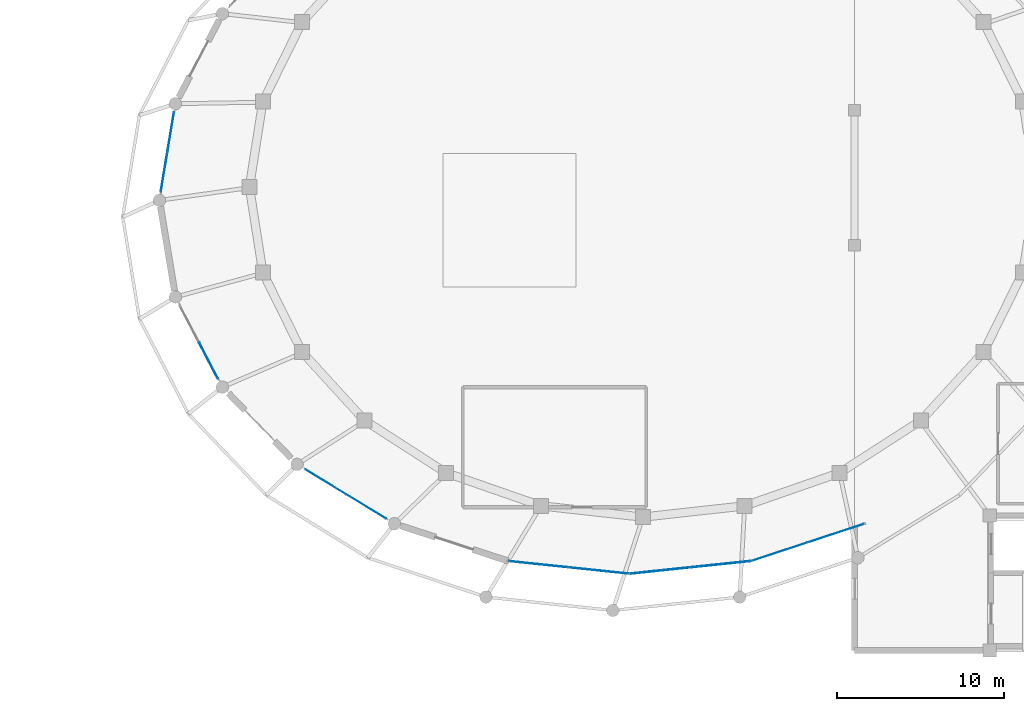
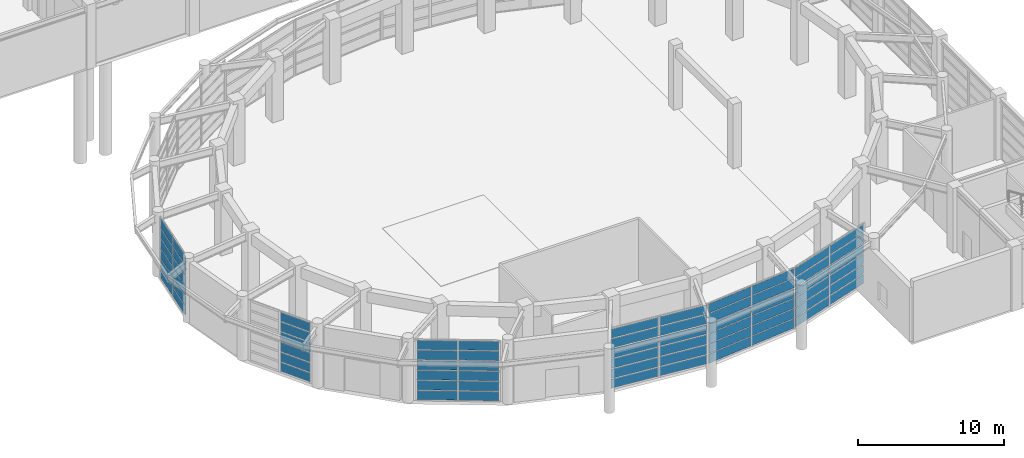
# One storey, part 28 of 52: 66 plates, 6 elements without a shape of their own.
"""IFC4 building model written with IfcOpenShell, lengths in metres."""

from ifc_helpers import new_model, si_unit, direction, frame, origin, origin_2d, place, context, subcontext, project, spatial, rectangle, extrude, material, layer, layer_set, type_object, element, aggregate, save


model = new_model("IFC4")

# Units and contexts
model_context = context("Model", 3, precision=1e-05, world=origin(), true_north=direction((0.0, 1.0)))
body_context = subcontext(model_context, "Body", "Model", "MODEL_VIEW")
ifc_project = project(units=[si_unit("LENGTHUNIT", "METRE"), si_unit("AREAUNIT", "SQUARE_METRE"), si_unit("VOLUMEUNIT", "CUBIC_METRE"), si_unit("PLANEANGLEUNIT", "RADIAN"), si_unit("MASSUNIT", "GRAM", prefix="KILO")], contexts=[model_context])

# Site, building, storey
site_placement = place(None, origin())
site = spatial("IfcSite", under=ifc_project, at=site_placement, CompositionType="ELEMENT")
building_placement = place(site_placement, origin())
building = spatial("IfcBuilding", under=site, at=building_placement, Name="Parian Resonance Hall", CompositionType="ELEMENT")
storey_placement = place(building_placement, origin())
storey = spatial("IfcBuildingStorey", under=building, at=storey_placement, Name="L00", CompositionType="ELEMENT", Elevation=0.0)

# Curtain wall, plates
ifc_material_1 = material(Name="Bronze-anodised aluminium frame", Category="aluminium")
curtain_wall_type_1 = type_object("IfcCurtainWallType", Name="CW-SYS-04", PredefinedType="NOTDEFINED", material=ifc_material_1)
curtain_wall_1_placement = place(storey_placement, origin())
curtain_wall_1 = element("IfcCurtainWall", 1, at=curtain_wall_1_placement, inside=storey, type_object=curtain_wall_type_1, Name="Grand foyer recessed base curtain wall 16", PredefinedType="NOTDEFINED")
ifc_material_2 = material(Name="Acoustic laminated double glazing", Category="glass")
ifc_layer_1 = layer(ifc_material_2, 0.02197265625)
ifc_layer_set_1 = layer_set([ifc_layer_1], Name="Acoustic laminated double glazing")
plate_type_1 = type_object("IfcPlateType", Name="CWP-IGU22", PredefinedType="CURTAIN_PANEL", material=ifc_layer_set_1)
plate_1_placement = place(storey_placement, frame((27.3984375, 24.838134765625, 0.05712890625), z_axis=(0.0, 0.0, 1.0), x_axis=(-0.853884034174, 0.520463309161, 0.0)))
plate_1 = element("IfcPlate", 2, at=plate_1_placement, type_object=plate_type_1, Name="CW-04 panel 1.1", PredefinedType="CURTAIN_PANEL", context=body_context, shape_type="SweptSolid", body=[
    extrude(rectangle(XDim=2.78955078125, YDim=0.02197265625, at=origin_2d()), origin(), (0.0, 0.0, 1.0), 0.757080078125),
])
plate_2_placement = place(storey_placement, frame((27.3984375, 24.838134765625, 0.87939453125), z_axis=(0.0, 0.0, 1.0), x_axis=(-0.853884034174, 0.520463309161, 0.0)))
plate_2 = element("IfcPlate", 3, at=plate_2_placement, type_object=plate_type_1, Name="CW-04 panel 1.2", PredefinedType="CURTAIN_PANEL", context=body_context, shape_type="SweptSolid", body=[
    extrude(rectangle(XDim=2.78955078125, YDim=0.02197265625, at=origin_2d()), origin(), (0.0, 0.0, 1.0), 0.781494140625),
])
plate_3_placement = place(storey_placement, frame((27.3984375, 24.838134765625, 1.725830078125), z_axis=(0.0, 0.0, 1.0), x_axis=(-0.853884034174, 0.520463309161, 0.0)))
plate_3 = element("IfcPlate", 4, at=plate_3_placement, type_object=plate_type_1, Name="CW-04 panel 1.3", PredefinedType="CURTAIN_PANEL", context=body_context, shape_type="SweptSolid", body=[
    extrude(rectangle(XDim=2.78955078125, YDim=0.02197265625, at=origin_2d()), origin(), (0.0, 0.0, 1.0), 0.78173828125),
])
plate_4_placement = place(storey_placement, frame((27.3984375, 24.838134765625, 2.572509765625), z_axis=(0.0, 0.0, 1.0), x_axis=(-0.853884034174, 0.520463309161, 0.0)))
plate_4 = element("IfcPlate", 5, at=plate_4_placement, type_object=plate_type_1, Name="CW-04 panel 1.4", PredefinedType="CURTAIN_PANEL", context=body_context, shape_type="SweptSolid", body=[
    extrude(rectangle(XDim=2.78955078125, YDim=0.02197265625, at=origin_2d()), origin(), (0.0, 0.0, 1.0), 0.78173828125),
])
plate_5_placement = place(storey_placement, frame((27.3984375, 24.838134765625, 3.41943359375), z_axis=(0.0, 0.0, 1.0), x_axis=(-0.853884034174, 0.520463309161, 0.0)))
plate_5 = element("IfcPlate", 6, at=plate_5_placement, type_object=plate_type_1, Name="CW-04 panel 1.5", PredefinedType="CURTAIN_PANEL", context=body_context, shape_type="SweptSolid", body=[
    extrude(rectangle(XDim=2.78955078125, YDim=0.02197265625, at=origin_2d()), origin(), (0.0, 0.0, 1.0), 0.781494140625),
])
plate_6_placement = place(storey_placement, frame((27.3984375, 24.838134765625, 4.265869140625), z_axis=(0.0, 0.0, 1.0), x_axis=(-0.853884034174, 0.520463309161, 0.0)))
plate_6 = element("IfcPlate", 7, at=plate_6_placement, type_object=plate_type_1, Name="CW-04 panel 1.6", PredefinedType="CURTAIN_PANEL", context=body_context, shape_type="SweptSolid", body=[
    extrude(rectangle(XDim=2.78955078125, YDim=0.02197265625, at=origin_2d()), origin(), (0.0, 0.0, 1.0), 0.75927734375),
])
plate_7_placement = place(storey_placement, frame((24.961181640625, 26.32373046875, 0.05712890625), z_axis=(0.0, 0.0, 1.0), x_axis=(-0.853884034174, 0.520463309161, 0.0)))
plate_7 = element("IfcPlate", 8, at=plate_7_placement, type_object=plate_type_1, Name="CW-04 panel 2.1", PredefinedType="CURTAIN_PANEL", context=body_context, shape_type="SweptSolid", body=[
    extrude(rectangle(XDim=2.78955078125, YDim=0.02197265625, at=origin_2d()), origin(), (0.0, 0.0, 1.0), 0.757080078125),
])
plate_8_placement = place(storey_placement, frame((24.961181640625, 26.32373046875, 0.87939453125), z_axis=(0.0, 0.0, 1.0), x_axis=(-0.853884034174, 0.520463309161, 0.0)))
plate_8 = element("IfcPlate", 9, at=plate_8_placement, type_object=plate_type_1, Name="CW-04 panel 2.2", PredefinedType="CURTAIN_PANEL", context=body_context, shape_type="SweptSolid", body=[
    extrude(rectangle(XDim=2.78955078125, YDim=0.02197265625, at=origin_2d()), origin(), (0.0, 0.0, 1.0), 0.781494140625),
])
plate_9_placement = place(storey_placement, frame((24.961181640625, 26.32373046875, 1.725830078125), z_axis=(0.0, 0.0, 1.0), x_axis=(-0.853884034174, 0.520463309161, 0.0)))
plate_9 = element("IfcPlate", 10, at=plate_9_placement, type_object=plate_type_1, Name="CW-04 panel 2.3", PredefinedType="CURTAIN_PANEL", context=body_context, shape_type="SweptSolid", body=[
    extrude(rectangle(XDim=2.78955078125, YDim=0.02197265625, at=origin_2d()), origin(), (0.0, 0.0, 1.0), 0.78173828125),
])
plate_10_placement = place(storey_placement, frame((24.961181640625, 26.32373046875, 2.572509765625), z_axis=(0.0, 0.0, 1.0), x_axis=(-0.853884034174, 0.520463309161, 0.0)))
plate_10 = element("IfcPlate", 11, at=plate_10_placement, type_object=plate_type_1, Name="CW-04 panel 2.4", PredefinedType="CURTAIN_PANEL", context=body_context, shape_type="SweptSolid", body=[
    extrude(rectangle(XDim=2.78955078125, YDim=0.02197265625, at=origin_2d()), origin(), (0.0, 0.0, 1.0), 0.78173828125),
])
plate_11_placement = place(storey_placement, frame((24.961181640625, 26.32373046875, 3.41943359375), z_axis=(0.0, 0.0, 1.0), x_axis=(-0.853884034174, 0.520463309161, 0.0)))
plate_11 = element("IfcPlate", 12, at=plate_11_placement, type_object=plate_type_1, Name="CW-04 panel 2.5", PredefinedType="CURTAIN_PANEL", context=body_context, shape_type="SweptSolid", body=[
    extrude(rectangle(XDim=2.78955078125, YDim=0.02197265625, at=origin_2d()), origin(), (0.0, 0.0, 1.0), 0.781494140625),
])
plate_12_placement = place(storey_placement, frame((24.961181640625, 26.32373046875, 4.265869140625), z_axis=(0.0, 0.0, 1.0), x_axis=(-0.853884034174, 0.520463309161, 0.0)))
plate_12 = element("IfcPlate", 13, at=plate_12_placement, type_object=plate_type_1, Name="CW-04 panel 2.6", PredefinedType="CURTAIN_PANEL", context=body_context, shape_type="SweptSolid", body=[
    extrude(rectangle(XDim=2.78955078125, YDim=0.02197265625, at=origin_2d()), origin(), (0.0, 0.0, 1.0), 0.75927734375),
])
aggregate(curtain_wall_1, [plate_1, plate_2, plate_3, plate_4, plate_5, plate_6, plate_7, plate_8, plate_9, plate_10, plate_11, plate_12])

ifc_material_3 = material(Name="Bronze-anodised aluminium frame", Category="aluminium")
curtain_wall_type_2 = type_object("IfcCurtainWallType", Name="CW-SYS-02", PredefinedType="NOTDEFINED", material=ifc_material_3)
curtain_wall_2_placement = place(storey_placement, origin())
curtain_wall_2 = element("IfcCurtainWall", 14, at=curtain_wall_2_placement, inside=storey, type_object=curtain_wall_type_2, Name="Grand foyer recessed base curtain wall 20", PredefinedType="NOTDEFINED")
plate_13_placement = place(storey_placement, frame((55.581787109375, 23.235595703125, 0.06689453125), z_axis=(0.0, 0.0, 1.0), x_axis=(-0.94990795108, -0.312529813739, 0.0)))
plate_13 = element("IfcPlate", 15, at=plate_13_placement, type_object=plate_type_1, Name="CW-02 panel 1.1", PredefinedType="CURTAIN_PANEL", context=body_context, shape_type="SweptSolid", body=[
    extrude(rectangle(XDim=3.467529296875, YDim=0.02197265625, at=origin_2d()), origin(), (0.0, 0.0, 1.0), 0.7421875),
])
plate_14_placement = place(storey_placement, frame((55.581787109375, 23.235595703125, 0.88427734375), z_axis=(0.0, 0.0, 1.0), x_axis=(-0.94990795108, -0.312529813739, 0.0)))
plate_14 = element("IfcPlate", 16, at=plate_14_placement, type_object=plate_type_1, Name="CW-02 panel 1.2", PredefinedType="CURTAIN_PANEL", context=body_context, shape_type="SweptSolid", body=[
    extrude(rectangle(XDim=3.467529296875, YDim=0.02197265625, at=origin_2d()), origin(), (0.0, 0.0, 1.0), 0.771484375),
])
plate_15_placement = place(storey_placement, frame((55.581787109375, 23.235595703125, 1.73095703125), z_axis=(0.0, 0.0, 1.0), x_axis=(-0.94990795108, -0.312529813739, 0.0)))
plate_15 = element("IfcPlate", 17, at=plate_15_placement, type_object=plate_type_1, Name="CW-02 panel 1.3", PredefinedType="CURTAIN_PANEL", context=body_context, shape_type="SweptSolid", body=[
    extrude(rectangle(XDim=3.467529296875, YDim=0.02197265625, at=origin_2d()), origin(), (0.0, 0.0, 1.0), 0.771728515625),
])
plate_16_placement = place(storey_placement, frame((55.581787109375, 23.235595703125, 2.57763671875), z_axis=(0.0, 0.0, 1.0), x_axis=(-0.94990795108, -0.312529813739, 0.0)))
plate_16 = element("IfcPlate", 18, at=plate_16_placement, type_object=plate_type_1, Name="CW-02 panel 1.4", PredefinedType="CURTAIN_PANEL", context=body_context, shape_type="SweptSolid", body=[
    extrude(rectangle(XDim=3.467529296875, YDim=0.02197265625, at=origin_2d()), origin(), (0.0, 0.0, 1.0), 0.771728515625),
])
plate_17_placement = place(storey_placement, frame((55.581787109375, 23.235595703125, 3.42431640625), z_axis=(0.0, 0.0, 1.0), x_axis=(-0.94990795108, -0.312529813739, 0.0)))
plate_17 = element("IfcPlate", 19, at=plate_17_placement, type_object=plate_type_1, Name="CW-02 panel 1.5", PredefinedType="CURTAIN_PANEL", context=body_context, shape_type="SweptSolid", body=[
    extrude(rectangle(XDim=3.467529296875, YDim=0.02197265625, at=origin_2d()), origin(), (0.0, 0.0, 1.0), 0.771484375),
])
plate_18_placement = place(storey_placement, frame((55.581787109375, 23.235595703125, 4.270751953125), z_axis=(0.0, 0.0, 1.0), x_axis=(-0.94990795108, -0.312529813739, 0.0)))
plate_18 = element("IfcPlate", 20, at=plate_18_placement, type_object=plate_type_1, Name="CW-02 panel 1.6", PredefinedType="CURTAIN_PANEL", context=body_context, shape_type="SweptSolid", body=[
    extrude(rectangle(XDim=3.467529296875, YDim=0.02197265625, at=origin_2d()), origin(), (0.0, 0.0, 1.0), 0.744140625),
])
plate_19_placement = place(storey_placement, frame((52.216796875, 22.128662109375, 0.06689453125), z_axis=(0.0, 0.0, 1.0), x_axis=(-0.94990795108, -0.312529813739, 0.0)))
plate_19 = element("IfcPlate", 21, at=plate_19_placement, type_object=plate_type_1, Name="CW-02 panel 2.1", PredefinedType="CURTAIN_PANEL", context=body_context, shape_type="SweptSolid", body=[
    extrude(rectangle(XDim=3.467529296875, YDim=0.02197265625, at=origin_2d()), origin(), (0.0, 0.0, 1.0), 0.7421875),
])
plate_20_placement = place(storey_placement, frame((52.216796875, 22.128662109375, 0.88427734375), z_axis=(0.0, 0.0, 1.0), x_axis=(-0.94990795108, -0.312529813739, 0.0)))
plate_20 = element("IfcPlate", 22, at=plate_20_placement, type_object=plate_type_1, Name="CW-02 panel 2.2", PredefinedType="CURTAIN_PANEL", context=body_context, shape_type="SweptSolid", body=[
    extrude(rectangle(XDim=3.467529296875, YDim=0.02197265625, at=origin_2d()), origin(), (0.0, 0.0, 1.0), 0.771484375),
])
plate_21_placement = place(storey_placement, frame((52.216796875, 22.128662109375, 1.73095703125), z_axis=(0.0, 0.0, 1.0), x_axis=(-0.94990795108, -0.312529813739, 0.0)))
plate_21 = element("IfcPlate", 23, at=plate_21_placement, type_object=plate_type_1, Name="CW-02 panel 2.3", PredefinedType="CURTAIN_PANEL", context=body_context, shape_type="SweptSolid", body=[
    extrude(rectangle(XDim=3.467529296875, YDim=0.02197265625, at=origin_2d()), origin(), (0.0, 0.0, 1.0), 0.771728515625),
])
plate_22_placement = place(storey_placement, frame((52.216796875, 22.128662109375, 2.57763671875), z_axis=(0.0, 0.0, 1.0), x_axis=(-0.94990795108, -0.312529813739, 0.0)))
plate_22 = element("IfcPlate", 24, at=plate_22_placement, type_object=plate_type_1, Name="CW-02 panel 2.4", PredefinedType="CURTAIN_PANEL", context=body_context, shape_type="SweptSolid", body=[
    extrude(rectangle(XDim=3.467529296875, YDim=0.02197265625, at=origin_2d()), origin(), (0.0, 0.0, 1.0), 0.771728515625),
])
plate_23_placement = place(storey_placement, frame((52.216796875, 22.128662109375, 3.42431640625), z_axis=(0.0, 0.0, 1.0), x_axis=(-0.94990795108, -0.312529813739, 0.0)))
plate_23 = element("IfcPlate", 25, at=plate_23_placement, type_object=plate_type_1, Name="CW-02 panel 2.5", PredefinedType="CURTAIN_PANEL", context=body_context, shape_type="SweptSolid", body=[
    extrude(rectangle(XDim=3.467529296875, YDim=0.02197265625, at=origin_2d()), origin(), (0.0, 0.0, 1.0), 0.771484375),
])
plate_24_placement = place(storey_placement, frame((52.216796875, 22.128662109375, 4.270751953125), z_axis=(0.0, 0.0, 1.0), x_axis=(-0.94990795108, -0.312529813739, 0.0)))
plate_24 = element("IfcPlate", 26, at=plate_24_placement, type_object=plate_type_1, Name="CW-02 panel 2.6", PredefinedType="CURTAIN_PANEL", context=body_context, shape_type="SweptSolid", body=[
    extrude(rectangle(XDim=3.467529296875, YDim=0.02197265625, at=origin_2d()), origin(), (0.0, 0.0, 1.0), 0.744140625),
])
aggregate(curtain_wall_2, [plate_13, plate_14, plate_15, plate_16, plate_17, plate_18, plate_19, plate_20, plate_21, plate_22, plate_23, plate_24])

ifc_material_4 = material(Name="Bronze-anodised aluminium frame", Category="aluminium")
curtain_wall_type_3 = type_object("IfcCurtainWallType", Name="CW-SYS-06", PredefinedType="NOTDEFINED", material=ifc_material_4)
curtain_wall_3_placement = place(storey_placement, origin())
curtain_wall_3 = element("IfcCurtainWall", 27, at=curtain_wall_3_placement, inside=storey, type_object=curtain_wall_type_3, Name="Grand foyer recessed base curtain wall 12", PredefinedType="NOTDEFINED")
ifc_material_5 = material(Name="Acoustic laminated double glazing", Category="glass")
ifc_layer_2 = layer(ifc_material_5, 0.031982421875)
ifc_layer_set_2 = layer_set([ifc_layer_2], Name="Acoustic laminated double glazing")
plate_type_2 = type_object("IfcPlateType", Name="CWP-IGU32", PredefinedType="CURTAIN_PANEL", material=ifc_layer_set_2)
plate_25_placement = place(storey_placement, frame((15.280517578125, 44.892822265625, 0.05712890625), z_axis=(0.0, 0.0, 1.0), x_axis=(0.163518420789, 0.986540281014, 0.0)))
plate_25 = element("IfcPlate", 28, at=plate_25_placement, type_object=plate_type_2, Name="CW-06 panel 1.1", PredefinedType="CURTAIN_PANEL", context=body_context, shape_type="SweptSolid", body=[
    extrude(rectangle(XDim=2.379638671875, YDim=0.031982421875, at=origin_2d()), origin(), (0.0, 0.0, 1.0), 0.757080078125),
])
plate_26_placement = place(storey_placement, frame((15.280517578125, 44.892822265625, 0.87939453125), z_axis=(0.0, 0.0, 1.0), x_axis=(0.163518420789, 0.986540281014, 0.0)))
plate_26 = element("IfcPlate", 29, at=plate_26_placement, type_object=plate_type_2, Name="CW-06 panel 1.2", PredefinedType="CURTAIN_PANEL", context=body_context, shape_type="SweptSolid", body=[
    extrude(rectangle(XDim=2.379638671875, YDim=0.031982421875, at=origin_2d()), origin(), (0.0, 0.0, 1.0), 0.781494140625),
])
plate_27_placement = place(storey_placement, frame((15.280517578125, 44.892822265625, 1.725830078125), z_axis=(0.0, 0.0, 1.0), x_axis=(0.163518420789, 0.986540281014, 0.0)))
plate_27 = element("IfcPlate", 30, at=plate_27_placement, type_object=plate_type_2, Name="CW-06 panel 1.3", PredefinedType="CURTAIN_PANEL", context=body_context, shape_type="SweptSolid", body=[
    extrude(rectangle(XDim=2.379638671875, YDim=0.031982421875, at=origin_2d()), origin(), (0.0, 0.0, 1.0), 0.78173828125),
])
plate_28_placement = place(storey_placement, frame((15.280517578125, 44.892822265625, 2.572509765625), z_axis=(0.0, 0.0, 1.0), x_axis=(0.163518420789, 0.986540281014, 0.0)))
plate_28 = element("IfcPlate", 31, at=plate_28_placement, type_object=plate_type_2, Name="CW-06 panel 1.4", PredefinedType="CURTAIN_PANEL", context=body_context, shape_type="SweptSolid", body=[
    extrude(rectangle(XDim=2.379638671875, YDim=0.031982421875, at=origin_2d()), origin(), (0.0, 0.0, 1.0), 0.78173828125),
])
plate_29_placement = place(storey_placement, frame((15.280517578125, 44.892822265625, 3.41943359375), z_axis=(0.0, 0.0, 1.0), x_axis=(0.163518420789, 0.986540281014, 0.0)))
plate_29 = element("IfcPlate", 32, at=plate_29_placement, type_object=plate_type_2, Name="CW-06 panel 1.5", PredefinedType="CURTAIN_PANEL", context=body_context, shape_type="SweptSolid", body=[
    extrude(rectangle(XDim=2.379638671875, YDim=0.031982421875, at=origin_2d()), origin(), (0.0, 0.0, 1.0), 0.781494140625),
])
plate_30_placement = place(storey_placement, frame((15.280517578125, 44.892822265625, 4.265869140625), z_axis=(0.0, 0.0, 1.0), x_axis=(0.163518420789, 0.986540281014, 0.0)))
plate_30 = element("IfcPlate", 33, at=plate_30_placement, type_object=plate_type_2, Name="CW-06 panel 1.6", PredefinedType="CURTAIN_PANEL", context=body_context, shape_type="SweptSolid", body=[
    extrude(rectangle(XDim=2.379638671875, YDim=0.031982421875, at=origin_2d()), origin(), (0.0, 0.0, 1.0), 0.75927734375),
])
plate_31_placement = place(storey_placement, frame((15.680419921875, 47.3046875, 0.05712890625), z_axis=(0.0, 0.0, 1.0), x_axis=(0.163518420789, 0.986540281014, 0.0)))
plate_31 = element("IfcPlate", 34, at=plate_31_placement, type_object=plate_type_2, Name="CW-06 panel 2.1", PredefinedType="CURTAIN_PANEL", context=body_context, shape_type="SweptSolid", body=[
    extrude(rectangle(XDim=2.379638671875, YDim=0.031982421875, at=origin_2d()), origin(), (0.0, 0.0, 1.0), 0.757080078125),
])
plate_32_placement = place(storey_placement, frame((15.680419921875, 47.3046875, 0.87939453125), z_axis=(0.0, 0.0, 1.0), x_axis=(0.163518420789, 0.986540281014, 0.0)))
plate_32 = element("IfcPlate", 35, at=plate_32_placement, type_object=plate_type_2, Name="CW-06 panel 2.2", PredefinedType="CURTAIN_PANEL", context=body_context, shape_type="SweptSolid", body=[
    extrude(rectangle(XDim=2.379638671875, YDim=0.031982421875, at=origin_2d()), origin(), (0.0, 0.0, 1.0), 0.781494140625),
])
plate_33_placement = place(storey_placement, frame((15.680419921875, 47.3046875, 1.725830078125), z_axis=(0.0, 0.0, 1.0), x_axis=(0.163518420789, 0.986540281014, 0.0)))
plate_33 = element("IfcPlate", 36, at=plate_33_placement, type_object=plate_type_2, Name="CW-06 panel 2.3", PredefinedType="CURTAIN_PANEL", context=body_context, shape_type="SweptSolid", body=[
    extrude(rectangle(XDim=2.379638671875, YDim=0.031982421875, at=origin_2d()), origin(), (0.0, 0.0, 1.0), 0.78173828125),
])
plate_34_placement = place(storey_placement, frame((15.680419921875, 47.3046875, 2.572509765625), z_axis=(0.0, 0.0, 1.0), x_axis=(0.163518420789, 0.986540281014, 0.0)))
plate_34 = element("IfcPlate", 37, at=plate_34_placement, type_object=plate_type_2, Name="CW-06 panel 2.4", PredefinedType="CURTAIN_PANEL", context=body_context, shape_type="SweptSolid", body=[
    extrude(rectangle(XDim=2.379638671875, YDim=0.031982421875, at=origin_2d()), origin(), (0.0, 0.0, 1.0), 0.78173828125),
])
plate_35_placement = place(storey_placement, frame((15.680419921875, 47.3046875, 3.41943359375), z_axis=(0.0, 0.0, 1.0), x_axis=(0.163518420789, 0.986540281014, 0.0)))
plate_35 = element("IfcPlate", 38, at=plate_35_placement, type_object=plate_type_2, Name="CW-06 panel 2.5", PredefinedType="CURTAIN_PANEL", context=body_context, shape_type="SweptSolid", body=[
    extrude(rectangle(XDim=2.379638671875, YDim=0.031982421875, at=origin_2d()), origin(), (0.0, 0.0, 1.0), 0.781494140625),
])
plate_36_placement = place(storey_placement, frame((15.680419921875, 47.3046875, 4.265869140625), z_axis=(0.0, 0.0, 1.0), x_axis=(0.163518420789, 0.986540281014, 0.0)))
plate_36 = element("IfcPlate", 39, at=plate_36_placement, type_object=plate_type_2, Name="CW-06 panel 2.6", PredefinedType="CURTAIN_PANEL", context=body_context, shape_type="SweptSolid", body=[
    extrude(rectangle(XDim=2.379638671875, YDim=0.031982421875, at=origin_2d()), origin(), (0.0, 0.0, 1.0), 0.75927734375),
])
aggregate(curtain_wall_3, [plate_25, plate_26, plate_27, plate_28, plate_29, plate_30, plate_31, plate_32, plate_33, plate_34, plate_35, plate_36])

curtain_wall_4_placement = place(storey_placement, origin())
curtain_wall_4 = element("IfcCurtainWall", 40, at=curtain_wall_4_placement, inside=storey, type_object=curtain_wall_type_3, Name="Grand foyer recessed base curtain wall 18", PredefinedType="NOTDEFINED")
plate_37_placement = place(storey_placement, frame((41.356689453125, 20.99267578125, 0.06689453125), z_axis=(0.0, 0.0, 1.0), x_axis=(-0.994575935845, 0.104013017637, 0.0)))
plate_37 = element("IfcPlate", 41, at=plate_37_placement, type_object=plate_type_2, Name="CW-06 panel 1.1", PredefinedType="CURTAIN_PANEL", context=body_context, shape_type="SweptSolid", body=[
    extrude(rectangle(XDim=3.556640625, YDim=0.031982421875, at=origin_2d()), origin(), (0.0, 0.0, 1.0), 0.7421875),
])
plate_38_placement = place(storey_placement, frame((41.356689453125, 20.99267578125, 0.88427734375), z_axis=(0.0, 0.0, 1.0), x_axis=(-0.994575935845, 0.104013017637, 0.0)))
plate_38 = element("IfcPlate", 42, at=plate_38_placement, type_object=plate_type_2, Name="CW-06 panel 1.2", PredefinedType="CURTAIN_PANEL", context=body_context, shape_type="SweptSolid", body=[
    extrude(rectangle(XDim=3.556640625, YDim=0.031982421875, at=origin_2d()), origin(), (0.0, 0.0, 1.0), 0.771484375),
])
plate_39_placement = place(storey_placement, frame((41.356689453125, 20.99267578125, 1.73095703125), z_axis=(0.0, 0.0, 1.0), x_axis=(-0.994575935845, 0.104013017637, 0.0)))
plate_39 = element("IfcPlate", 43, at=plate_39_placement, type_object=plate_type_2, Name="CW-06 panel 1.3", PredefinedType="CURTAIN_PANEL", context=body_context, shape_type="SweptSolid", body=[
    extrude(rectangle(XDim=3.556640625, YDim=0.031982421875, at=origin_2d()), origin(), (0.0, 0.0, 1.0), 0.771728515625),
])
plate_40_placement = place(storey_placement, frame((41.356689453125, 20.99267578125, 2.57763671875), z_axis=(0.0, 0.0, 1.0), x_axis=(-0.994575935845, 0.104013017637, 0.0)))
plate_40 = element("IfcPlate", 44, at=plate_40_placement, type_object=plate_type_2, Name="CW-06 panel 1.4", PredefinedType="CURTAIN_PANEL", context=body_context, shape_type="SweptSolid", body=[
    extrude(rectangle(XDim=3.556640625, YDim=0.031982421875, at=origin_2d()), origin(), (0.0, 0.0, 1.0), 0.771728515625),
])
plate_41_placement = place(storey_placement, frame((41.356689453125, 20.99267578125, 3.42431640625), z_axis=(0.0, 0.0, 1.0), x_axis=(-0.994575935845, 0.104013017637, 0.0)))
plate_41 = element("IfcPlate", 45, at=plate_41_placement, type_object=plate_type_2, Name="CW-06 panel 1.5", PredefinedType="CURTAIN_PANEL", context=body_context, shape_type="SweptSolid", body=[
    extrude(rectangle(XDim=3.556640625, YDim=0.031982421875, at=origin_2d()), origin(), (0.0, 0.0, 1.0), 0.771484375),
])
plate_42_placement = place(storey_placement, frame((41.356689453125, 20.99267578125, 4.270751953125), z_axis=(0.0, 0.0, 1.0), x_axis=(-0.994575935845, 0.104013017637, 0.0)))
plate_42 = element("IfcPlate", 46, at=plate_42_placement, type_object=plate_type_2, Name="CW-06 panel 1.6", PredefinedType="CURTAIN_PANEL", context=body_context, shape_type="SweptSolid", body=[
    extrude(rectangle(XDim=3.556640625, YDim=0.031982421875, at=origin_2d()), origin(), (0.0, 0.0, 1.0), 0.744140625),
])
plate_43_placement = place(storey_placement, frame((37.74462890625, 21.37060546875, 0.06689453125), z_axis=(0.0, 0.0, 1.0), x_axis=(-0.994575935845, 0.104013017637, 0.0)))
plate_43 = element("IfcPlate", 47, at=plate_43_placement, type_object=plate_type_2, Name="CW-06 panel 2.1", PredefinedType="CURTAIN_PANEL", context=body_context, shape_type="SweptSolid", body=[
    extrude(rectangle(XDim=3.556640625, YDim=0.031982421875, at=origin_2d()), origin(), (0.0, 0.0, 1.0), 0.7421875),
])
plate_44_placement = place(storey_placement, frame((37.74462890625, 21.37060546875, 0.88427734375), z_axis=(0.0, 0.0, 1.0), x_axis=(-0.994575935845, 0.104013017637, 0.0)))
plate_44 = element("IfcPlate", 48, at=plate_44_placement, type_object=plate_type_2, Name="CW-06 panel 2.2", PredefinedType="CURTAIN_PANEL", context=body_context, shape_type="SweptSolid", body=[
    extrude(rectangle(XDim=3.556640625, YDim=0.031982421875, at=origin_2d()), origin(), (0.0, 0.0, 1.0), 0.771484375),
])
plate_45_placement = place(storey_placement, frame((37.74462890625, 21.37060546875, 1.73095703125), z_axis=(0.0, 0.0, 1.0), x_axis=(-0.994575935845, 0.104013017637, 0.0)))
plate_45 = element("IfcPlate", 49, at=plate_45_placement, type_object=plate_type_2, Name="CW-06 panel 2.3", PredefinedType="CURTAIN_PANEL", context=body_context, shape_type="SweptSolid", body=[
    extrude(rectangle(XDim=3.556640625, YDim=0.031982421875, at=origin_2d()), origin(), (0.0, 0.0, 1.0), 0.771728515625),
])
plate_46_placement = place(storey_placement, frame((37.74462890625, 21.37060546875, 2.57763671875), z_axis=(0.0, 0.0, 1.0), x_axis=(-0.994575935845, 0.104013017637, 0.0)))
plate_46 = element("IfcPlate", 50, at=plate_46_placement, type_object=plate_type_2, Name="CW-06 panel 2.4", PredefinedType="CURTAIN_PANEL", context=body_context, shape_type="SweptSolid", body=[
    extrude(rectangle(XDim=3.556640625, YDim=0.031982421875, at=origin_2d()), origin(), (0.0, 0.0, 1.0), 0.771728515625),
])
plate_47_placement = place(storey_placement, frame((37.74462890625, 21.37060546875, 3.42431640625), z_axis=(0.0, 0.0, 1.0), x_axis=(-0.994575935845, 0.104013017637, 0.0)))
plate_47 = element("IfcPlate", 51, at=plate_47_placement, type_object=plate_type_2, Name="CW-06 panel 2.5", PredefinedType="CURTAIN_PANEL", context=body_context, shape_type="SweptSolid", body=[
    extrude(rectangle(XDim=3.556640625, YDim=0.031982421875, at=origin_2d()), origin(), (0.0, 0.0, 1.0), 0.771484375),
])
plate_48_placement = place(storey_placement, frame((37.74462890625, 21.37060546875, 4.270751953125), z_axis=(0.0, 0.0, 1.0), x_axis=(-0.994575935845, 0.104013017637, 0.0)))
plate_48 = element("IfcPlate", 52, at=plate_48_placement, type_object=plate_type_2, Name="CW-06 panel 2.6", PredefinedType="CURTAIN_PANEL", context=body_context, shape_type="SweptSolid", body=[
    extrude(rectangle(XDim=3.556640625, YDim=0.031982421875, at=origin_2d()), origin(), (0.0, 0.0, 1.0), 0.744140625),
])
aggregate(curtain_wall_4, [plate_37, plate_38, plate_39, plate_40, plate_41, plate_42, plate_43, plate_44, plate_45, plate_46, plate_47, plate_48])

curtain_wall_5_placement = place(storey_placement, origin())
curtain_wall_5 = element("IfcCurtainWall", 53, at=curtain_wall_5_placement, inside=storey, type_object=curtain_wall_type_2, Name="Grand foyer recessed base curtain wall 14", PredefinedType="NOTDEFINED")
ifc_material_6 = material(Name="Acoustic laminated double glazing", Category="glass")
ifc_layer_3 = layer(ifc_material_6, 0.0419921875)
ifc_layer_set_3 = layer_set([ifc_layer_3], Name="Acoustic laminated double glazing")
plate_type_3 = type_object("IfcPlateType", Name="CWP-IGU42", PredefinedType="CURTAIN_PANEL", material=ifc_layer_set_3)
plate_49_placement = place(storey_placement, frame((17.946533203125, 33.5947265625, 0.06689453125), z_axis=(0.0, 0.0, 1.0), x_axis=(-0.462362288414, 0.886691104192, 0.0)))
plate_49 = element("IfcPlate", 54, at=plate_49_placement, type_object=plate_type_3, Name="CW-02 panel 1.1", PredefinedType="CURTAIN_PANEL", context=body_context, shape_type="SweptSolid", body=[
    extrude(rectangle(XDim=2.4208984375, YDim=0.0419921875, at=origin_2d()), origin(), (0.0, 0.0, 1.0), 0.7421875),
])
plate_50_placement = place(storey_placement, frame((17.946533203125, 33.5947265625, 0.88427734375), z_axis=(0.0, 0.0, 1.0), x_axis=(-0.462362288414, 0.886691104192, 0.0)))
plate_50 = element("IfcPlate", 55, at=plate_50_placement, type_object=plate_type_3, Name="CW-02 panel 1.2", PredefinedType="CURTAIN_PANEL", context=body_context, shape_type="SweptSolid", body=[
    extrude(rectangle(XDim=2.4208984375, YDim=0.0419921875, at=origin_2d()), origin(), (0.0, 0.0, 1.0), 0.771484375),
])
plate_51_placement = place(storey_placement, frame((17.946533203125, 33.5947265625, 1.73095703125), z_axis=(0.0, 0.0, 1.0), x_axis=(-0.462362288414, 0.886691104192, 0.0)))
plate_51 = element("IfcPlate", 56, at=plate_51_placement, type_object=plate_type_3, Name="CW-02 panel 1.3", PredefinedType="CURTAIN_PANEL", context=body_context, shape_type="SweptSolid", body=[
    extrude(rectangle(XDim=2.4208984375, YDim=0.0419921875, at=origin_2d()), origin(), (0.0, 0.0, 1.0), 0.771728515625),
])
plate_52_placement = place(storey_placement, frame((17.946533203125, 33.5947265625, 2.57763671875), z_axis=(0.0, 0.0, 1.0), x_axis=(-0.462362288414, 0.886691104192, 0.0)))
plate_52 = element("IfcPlate", 57, at=plate_52_placement, type_object=plate_type_3, Name="CW-02 panel 1.4", PredefinedType="CURTAIN_PANEL", context=body_context, shape_type="SweptSolid", body=[
    extrude(rectangle(XDim=2.4208984375, YDim=0.0419921875, at=origin_2d()), origin(), (0.0, 0.0, 1.0), 0.771728515625),
])
plate_53_placement = place(storey_placement, frame((17.946533203125, 33.5947265625, 3.42431640625), z_axis=(0.0, 0.0, 1.0), x_axis=(-0.462362288414, 0.886691104192, 0.0)))
plate_53 = element("IfcPlate", 58, at=plate_53_placement, type_object=plate_type_3, Name="CW-02 panel 1.5", PredefinedType="CURTAIN_PANEL", context=body_context, shape_type="SweptSolid", body=[
    extrude(rectangle(XDim=2.4208984375, YDim=0.0419921875, at=origin_2d()), origin(), (0.0, 0.0, 1.0), 0.771484375),
])
plate_54_placement = place(storey_placement, frame((17.946533203125, 33.5947265625, 4.270751953125), z_axis=(0.0, 0.0, 1.0), x_axis=(-0.462362288414, 0.886691104192, 0.0)))
plate_54 = element("IfcPlate", 59, at=plate_54_placement, type_object=plate_type_3, Name="CW-02 panel 1.6", PredefinedType="CURTAIN_PANEL", context=body_context, shape_type="SweptSolid", body=[
    extrude(rectangle(XDim=2.4208984375, YDim=0.0419921875, at=origin_2d()), origin(), (0.0, 0.0, 1.0), 0.744140625),
])
aggregate(curtain_wall_5, [plate_49, plate_50, plate_51, plate_52, plate_53, plate_54])

ifc_material_7 = material(Name="Bronze-anodised aluminium frame", Category="aluminium")
curtain_wall_type_4 = type_object("IfcCurtainWallType", Name="CW-SYS-01", PredefinedType="NOTDEFINED", material=ifc_material_7)
curtain_wall_6_placement = place(storey_placement, origin())
curtain_wall_6 = element("IfcCurtainWall", 60, at=curtain_wall_6_placement, inside=storey, type_object=curtain_wall_type_4, Name="Grand foyer recessed base curtain wall 19", PredefinedType="NOTDEFINED")
plate_55_placement = place(storey_placement, frame((48.657958984375, 21.370849609375, 0.05712890625), z_axis=(0.0, 0.0, 1.0), x_axis=(-0.994575935845, -0.104013017637, 0.0)))
plate_55 = element("IfcPlate", 61, at=plate_55_placement, type_object=plate_type_3, Name="CW-01 panel 1.1", PredefinedType="CURTAIN_PANEL", context=body_context, shape_type="SweptSolid", body=[
    extrude(rectangle(XDim=3.57177734375, YDim=0.0419921875, at=origin_2d()), origin(), (0.0, 0.0, 1.0), 0.757080078125),
])
plate_56_placement = place(storey_placement, frame((48.657958984375, 21.370849609375, 0.87939453125), z_axis=(0.0, 0.0, 1.0), x_axis=(-0.994575935845, -0.104013017637, 0.0)))
plate_56 = element("IfcPlate", 62, at=plate_56_placement, type_object=plate_type_3, Name="CW-01 panel 1.2", PredefinedType="CURTAIN_PANEL", context=body_context, shape_type="SweptSolid", body=[
    extrude(rectangle(XDim=3.57177734375, YDim=0.0419921875, at=origin_2d()), origin(), (0.0, 0.0, 1.0), 0.781494140625),
])
plate_57_placement = place(storey_placement, frame((48.657958984375, 21.370849609375, 1.725830078125), z_axis=(0.0, 0.0, 1.0), x_axis=(-0.994575935845, -0.104013017637, 0.0)))
plate_57 = element("IfcPlate", 63, at=plate_57_placement, type_object=plate_type_3, Name="CW-01 panel 1.3", PredefinedType="CURTAIN_PANEL", context=body_context, shape_type="SweptSolid", body=[
    extrude(rectangle(XDim=3.57177734375, YDim=0.0419921875, at=origin_2d()), origin(), (0.0, 0.0, 1.0), 0.78173828125),
])
plate_58_placement = place(storey_placement, frame((48.657958984375, 21.370849609375, 2.572509765625), z_axis=(0.0, 0.0, 1.0), x_axis=(-0.994575935845, -0.104013017637, 0.0)))
plate_58 = element("IfcPlate", 64, at=plate_58_placement, type_object=plate_type_3, Name="CW-01 panel 1.4", PredefinedType="CURTAIN_PANEL", context=body_context, shape_type="SweptSolid", body=[
    extrude(rectangle(XDim=3.57177734375, YDim=0.0419921875, at=origin_2d()), origin(), (0.0, 0.0, 1.0), 0.78173828125),
])
plate_59_placement = place(storey_placement, frame((48.657958984375, 21.370849609375, 3.41943359375), z_axis=(0.0, 0.0, 1.0), x_axis=(-0.994575935845, -0.104013017637, 0.0)))
plate_59 = element("IfcPlate", 65, at=plate_59_placement, type_object=plate_type_3, Name="CW-01 panel 1.5", PredefinedType="CURTAIN_PANEL", context=body_context, shape_type="SweptSolid", body=[
    extrude(rectangle(XDim=3.57177734375, YDim=0.0419921875, at=origin_2d()), origin(), (0.0, 0.0, 1.0), 0.781494140625),
])
plate_60_placement = place(storey_placement, frame((48.657958984375, 21.370849609375, 4.265869140625), z_axis=(0.0, 0.0, 1.0), x_axis=(-0.994575935845, -0.104013017637, 0.0)))
plate_60 = element("IfcPlate", 66, at=plate_60_placement, type_object=plate_type_3, Name="CW-01 panel 1.6", PredefinedType="CURTAIN_PANEL", context=body_context, shape_type="SweptSolid", body=[
    extrude(rectangle(XDim=3.57177734375, YDim=0.0419921875, at=origin_2d()), origin(), (0.0, 0.0, 1.0), 0.75927734375),
])
plate_61_placement = place(storey_placement, frame((45.040771484375, 20.992431640625, 0.05712890625), z_axis=(0.0, 0.0, 1.0), x_axis=(-0.994575935845, -0.104013017637, 0.0)))
plate_61 = element("IfcPlate", 67, at=plate_61_placement, type_object=plate_type_3, Name="CW-01 panel 2.1", PredefinedType="CURTAIN_PANEL", context=body_context, shape_type="SweptSolid", body=[
    extrude(rectangle(XDim=3.57177734375, YDim=0.0419921875, at=origin_2d()), origin(), (0.0, 0.0, 1.0), 0.757080078125),
])
plate_62_placement = place(storey_placement, frame((45.040771484375, 20.992431640625, 0.87939453125), z_axis=(0.0, 0.0, 1.0), x_axis=(-0.994575935845, -0.104013017637, 0.0)))
plate_62 = element("IfcPlate", 68, at=plate_62_placement, type_object=plate_type_3, Name="CW-01 panel 2.2", PredefinedType="CURTAIN_PANEL", context=body_context, shape_type="SweptSolid", body=[
    extrude(rectangle(XDim=3.57177734375, YDim=0.0419921875, at=origin_2d()), origin(), (0.0, 0.0, 1.0), 0.781494140625),
])
plate_63_placement = place(storey_placement, frame((45.040771484375, 20.992431640625, 1.725830078125), z_axis=(0.0, 0.0, 1.0), x_axis=(-0.994575935845, -0.104013017637, 0.0)))
plate_63 = element("IfcPlate", 69, at=plate_63_placement, type_object=plate_type_3, Name="CW-01 panel 2.3", PredefinedType="CURTAIN_PANEL", context=body_context, shape_type="SweptSolid", body=[
    extrude(rectangle(XDim=3.57177734375, YDim=0.0419921875, at=origin_2d()), origin(), (0.0, 0.0, 1.0), 0.78173828125),
])
plate_64_placement = place(storey_placement, frame((45.040771484375, 20.992431640625, 2.572509765625), z_axis=(0.0, 0.0, 1.0), x_axis=(-0.994575935845, -0.104013017637, 0.0)))
plate_64 = element("IfcPlate", 70, at=plate_64_placement, type_object=plate_type_3, Name="CW-01 panel 2.4", PredefinedType="CURTAIN_PANEL", context=body_context, shape_type="SweptSolid", body=[
    extrude(rectangle(XDim=3.57177734375, YDim=0.0419921875, at=origin_2d()), origin(), (0.0, 0.0, 1.0), 0.78173828125),
])
plate_65_placement = place(storey_placement, frame((45.040771484375, 20.992431640625, 3.41943359375), z_axis=(0.0, 0.0, 1.0), x_axis=(-0.994575935845, -0.104013017637, 0.0)))
plate_65 = element("IfcPlate", 71, at=plate_65_placement, type_object=plate_type_3, Name="CW-01 panel 2.5", PredefinedType="CURTAIN_PANEL", context=body_context, shape_type="SweptSolid", body=[
    extrude(rectangle(XDim=3.57177734375, YDim=0.0419921875, at=origin_2d()), origin(), (0.0, 0.0, 1.0), 0.781494140625),
])
plate_66_placement = place(storey_placement, frame((45.040771484375, 20.992431640625, 4.265869140625), z_axis=(0.0, 0.0, 1.0), x_axis=(-0.994575935845, -0.104013017637, 0.0)))
plate_66 = element("IfcPlate", 72, at=plate_66_placement, type_object=plate_type_3, Name="CW-01 panel 2.6", PredefinedType="CURTAIN_PANEL", context=body_context, shape_type="SweptSolid", body=[
    extrude(rectangle(XDim=3.57177734375, YDim=0.0419921875, at=origin_2d()), origin(), (0.0, 0.0, 1.0), 0.75927734375),
])
aggregate(curtain_wall_6, [plate_55, plate_56, plate_57, plate_58, plate_59, plate_60, plate_61, plate_62, plate_63, plate_64, plate_65, plate_66])

save(model, "model.ifc")
